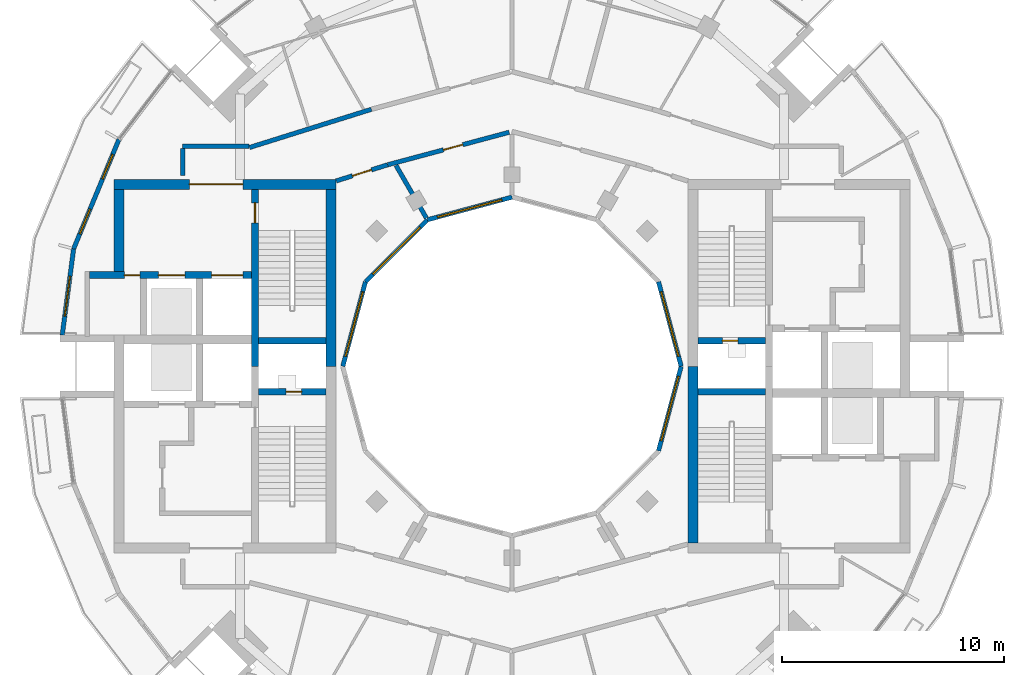
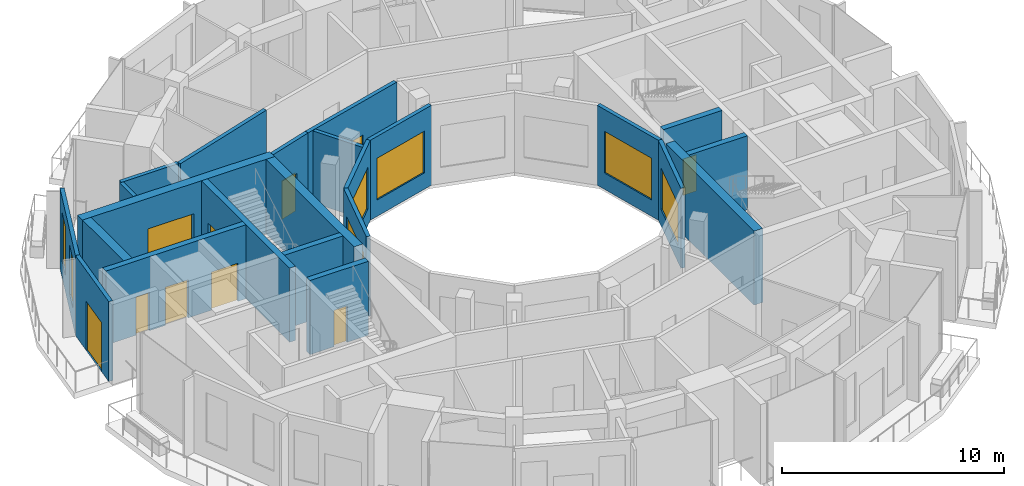
# One storey, part 9 of 15: 23 walls, 10 doors, 7 windows, 17 openings.
"""IFC4 building model written with IfcOpenShell, lengths in metres."""

from ifc_helpers import new_model, si_unit, direction, frame, frame_2d, origin, place, context, subcontext, project, spatial, rectangle, extrude, material, layer, layer_set, type_object, element, fill, save


model = new_model("IFC4")

# Units and contexts
model_context = context("Model", 3, precision=1e-05, world=origin(), true_north=direction((0.0, 1.0)))
body_context = subcontext(model_context, "Body", "Model", "MODEL_VIEW")
ifc_project = project(units=[si_unit("LENGTHUNIT", "METRE"), si_unit("AREAUNIT", "SQUARE_METRE"), si_unit("VOLUMEUNIT", "CUBIC_METRE"), si_unit("PLANEANGLEUNIT", "RADIAN"), si_unit("MASSUNIT", "GRAM", prefix="KILO")], contexts=[model_context])

# Site, building, storey
site_placement = place(None, origin())
site = spatial("IfcSite", under=ifc_project, at=site_placement, CompositionType="ELEMENT")
building_placement = place(site_placement, origin())
building = spatial("IfcBuilding", under=site, at=building_placement, Name="Torre Brocal", CompositionType="ELEMENT")
storey_placement = place(building_placement, frame((0.0, 0.0, 314.89990234375)))
storey = spatial("IfcBuildingStorey", under=building, at=storey_placement, Name="L72", CompositionType="ELEMENT", Elevation=314.89990234375)

# Wall, opening, door
ifc_material_1 = material(Name="Concrete C50", Category="concrete")
ifc_layer_1 = layer(ifc_material_1, 0.300048828125)
ifc_layer_set_1 = layer_set([ifc_layer_1], Name="Concrete C50")
wall_type_1 = type_object("IfcWallType", Name="CORE WALL 300 C50", PredefinedType="SHEAR", material=ifc_layer_set_1)
wall_1_placement = place(storey_placement, frame((88.35009765625, 76.14990234375, 0.0), z_axis=(0.0, 0.0, 1.0), x_axis=(1.0, 0.0, 0.0)))
wall_1 = element("IfcWall", 1, at=wall_1_placement, inside=storey, type_object=wall_type_1, Name="Wall CW300-50", PredefinedType="SHEAR", context=body_context, shape_type="SweptSolid", body=[
    extrude(rectangle(XDim=3.0498046875, YDim=0.300048828125, at=frame_2d((1.52490234375, 0.0))), origin(), (0.0, 0.0, 1.0), 4.080078125),
])
opening_1_placement = place(wall_1_placement, frame((1.10009765625, 0.0, 0.0)))
opening_1 = element("IfcOpeningElement", 2, at=opening_1_placement, cuts=wall_1, Name="Opening E-D01", PredefinedType="OPENING", context=body_context, shape_type="SweptSolid", body=[
    extrude(rectangle(XDim=0.699951171875, YDim=2.0, at=frame_2d((0.35009765625, 1.0))), frame((0.0, 0.159912109375, 0.0), z_axis=(0.0, -1.0, 0.0), x_axis=(1.0, 0.0, 0.0)), (0.0, 0.0, 1.0), 0.320068359375),
])
ifc_material_2 = material(Name="Steel A653", Category="steel")
door_type_1 = type_object("IfcDoorType", Name="RISER DOOR FD120 700X2000", OperationType="SINGLE_SWING_LEFT", PredefinedType="DOOR", material=ifc_material_2)
door_1_placement = place(opening_1_placement, frame((0.699951171875, 0.0, 0.0), z_axis=(0.0, 0.0, 1.0), x_axis=(-1.0, 0.0, 0.0)))
door_1 = element("IfcDoor", 3, at=door_1_placement, inside=storey, type_object=door_type_1, Name="Door E-D01", OperationType="SINGLE_SWING_RIGHT", OverallHeight=2.0, OverallWidth=0.699951171875, PredefinedType="DOOR", context=body_context, shape_type="SweptSolid", body=[
    extrude(rectangle(XDim=0.699951171875, YDim=2.0, at=frame_2d((0.35009765625, 1.0))), frame((0.0, 0.02490234375, 0.0), z_axis=(0.0, -1.0, 0.0), x_axis=(1.0, 0.0, 0.0)), (0.0, 0.0, 1.0), 0.050048828125),
])
fill(opening_1, door_1)

# Wall
wall_2_placement = place(storey_placement, frame((88.35009765625, 73.85009765625, 0.0), z_axis=(0.0, 0.0, 1.0), x_axis=(1.0, 0.0, 0.0)))
element("IfcWall", 4, at=wall_2_placement, inside=storey, type_object=wall_type_1, Name="Wall CW300-50", PredefinedType="SHEAR", context=body_context, shape_type="SweptSolid", body=[
    extrude(rectangle(XDim=3.0498046875, YDim=0.300048828125, at=frame_2d((1.52490234375, 0.0))), origin(), (0.0, 0.0, 1.0), 4.080078125),
])

# Wall, opening, door
wall_3_placement = place(storey_placement, frame((68.449951171875, 82.949951171875, 0.0), z_axis=(0.0, 0.0, 1.0), x_axis=(0.0, -1.0, 0.0)))
wall_3 = element("IfcWall", 5, at=wall_3_placement, inside=storey, type_object=wall_type_1, Name="Wall CW300-50", PredefinedType="SHEAR", context=body_context, shape_type="SweptSolid", body=[
    extrude(rectangle(XDim=7.949951171875, YDim=0.300048828125, at=frame_2d((3.97509765625, 0.0))), origin(), (0.0, 0.0, 1.0), 4.080078125),
])
opening_2_placement = place(wall_3_placement, frame((0.60009765625, 0.0, 0.0)))
opening_2 = element("IfcOpeningElement", 6, at=opening_2_placement, cuts=wall_3, Name="Opening W-D03", PredefinedType="OPENING", context=body_context, shape_type="SweptSolid", body=[
    extrude(rectangle(XDim=0.89990234375, YDim=2.10009765625, at=frame_2d((0.449951171875, 1.050048828125))), frame((0.0, 0.159912109375, 0.0), z_axis=(0.0, -1.0, 0.0), x_axis=(1.0, 0.0, 0.0)), (0.0, 0.0, 1.0), 0.320068359375),
])
ifc_material_3 = material(Name="Steel A653", Category="steel")
door_type_2 = type_object("IfcDoorType", Name="STAIR DOOR FD120 900X2100", OperationType="SINGLE_SWING_RIGHT", PredefinedType="DOOR", material=ifc_material_3)
door_2_placement = place(opening_2_placement, origin())
door_2 = element("IfcDoor", 7, at=door_2_placement, inside=storey, type_object=door_type_2, Name="Door W-D03", OperationType="SINGLE_SWING_LEFT", OverallHeight=2.10009765625, OverallWidth=0.89990234375, PredefinedType="DOOR", context=body_context, shape_type="SweptSolid", body=[
    extrude(rectangle(XDim=0.89990234375, YDim=2.10009765625, at=frame_2d((0.449951171875, 1.050048828125))), frame((0.0, 0.02490234375, 0.0), z_axis=(0.0, -1.0, 0.0), x_axis=(1.0, 0.0, 0.0)), (0.0, 0.0, 1.0), 0.050048828125),
])
fill(opening_2, door_2)

wall_4_placement = place(storey_placement, frame((71.64990234375, 73.85009765625, 0.0), z_axis=(0.0, 0.0, 1.0), x_axis=(-1.0, 0.0, 0.0)))
wall_4 = element("IfcWall", 8, at=wall_4_placement, inside=storey, type_object=wall_type_1, Name="Wall CW300-50", PredefinedType="SHEAR", context=body_context, shape_type="SweptSolid", body=[
    extrude(rectangle(XDim=3.0498046875, YDim=0.300048828125, at=frame_2d((1.52490234375, 0.0))), origin(), (0.0, 0.0, 1.0), 4.080078125),
])
opening_3_placement = place(wall_4_placement, frame((1.10009765625, 0.0, 0.0)))
opening_3 = element("IfcOpeningElement", 9, at=opening_3_placement, cuts=wall_4, Name="Opening W-D01", PredefinedType="OPENING", context=body_context, shape_type="SweptSolid", body=[
    extrude(rectangle(XDim=0.699951171875, YDim=2.0, at=frame_2d((0.35009765625, 1.0))), frame((0.0, 0.159912109375, 0.0), z_axis=(0.0, -1.0, 0.0), x_axis=(1.0, 0.0, 0.0)), (0.0, 0.0, 1.0), 0.320068359375),
])
door_3_placement = place(opening_3_placement, frame((0.699951171875, 0.0, 0.0), z_axis=(0.0, 0.0, 1.0), x_axis=(-1.0, 0.0, 0.0)))
door_3 = element("IfcDoor", 10, at=door_3_placement, inside=storey, type_object=door_type_1, Name="Door W-D01", OperationType="SINGLE_SWING_RIGHT", OverallHeight=2.0, OverallWidth=0.699951171875, PredefinedType="DOOR", context=body_context, shape_type="SweptSolid", body=[
    extrude(rectangle(XDim=0.699951171875, YDim=2.0, at=frame_2d((0.35009765625, 1.0))), frame((0.0, 0.02490234375, 0.0), z_axis=(0.0, -1.0, 0.0), x_axis=(1.0, 0.0, 0.0)), (0.0, 0.0, 1.0), 0.050048828125),
])
fill(opening_3, door_3)

# Wall
wall_5_placement = place(storey_placement, frame((71.64990234375, 76.14990234375, 0.0), z_axis=(0.0, 0.0, 1.0), x_axis=(-1.0, 0.0, 0.0)))
element("IfcWall", 11, at=wall_5_placement, inside=storey, type_object=wall_type_1, Name="Wall CW300-50", PredefinedType="SHEAR", context=body_context, shape_type="SweptSolid", body=[
    extrude(rectangle(XDim=3.0498046875, YDim=0.300048828125, at=frame_2d((1.52490234375, 0.0))), origin(), (0.0, 0.0, 1.0), 4.080078125),
])

# Wall, openings, doors
wall_6_placement = place(storey_placement, frame((68.300048828125, 79.10009765625, 0.0), z_axis=(0.0, 0.0, 1.0), x_axis=(-1.0, 0.0, 0.0)))
wall_6 = element("IfcWall", 12, at=wall_6_placement, inside=storey, type_object=wall_type_1, Name="Wall CW300-50", PredefinedType="SHEAR", context=body_context, shape_type="SweptSolid", body=[
    extrude(rectangle(XDim=7.300048828125, YDim=0.300048828125, at=frame_2d((3.64990234375, 0.0))), origin(), (0.0, 0.0, 1.0), 4.080078125),
])
opening_4_placement = place(wall_6_placement, frame((0.39990234375, 0.0, 0.0)))
opening_4 = element("IfcOpeningElement", 13, at=opening_4_placement, cuts=wall_6, Name="Opening LD14", PredefinedType="OPENING", context=body_context, shape_type="SweptSolid", body=[
    extrude(rectangle(XDim=1.39990234375, YDim=2.10009765625, at=frame_2d((0.699951171875, 1.050048828125))), frame((0.0, 0.159912109375, 0.0), z_axis=(0.0, -1.0, 0.0), x_axis=(1.0, 0.0, 0.0)), (0.0, 0.0, 1.0), 0.320068359375),
])
opening_5_placement = place(wall_6_placement, frame((3.0, 0.0, 0.0)))
opening_5 = element("IfcOpeningElement", 14, at=opening_5_placement, cuts=wall_6, Name="Opening LD12", PredefinedType="OPENING", context=body_context, shape_type="SweptSolid", body=[
    extrude(rectangle(XDim=1.199951171875, YDim=2.10009765625, at=frame_2d((0.60009765625, 1.050048828125))), frame((0.0, 0.159912109375, 0.0), z_axis=(0.0, -1.0, 0.0), x_axis=(1.0, 0.0, 0.0)), (0.0, 0.0, 1.0), 0.320068359375),
])
opening_6_placement = place(wall_6_placement, frame((5.02490234375, 0.0, 0.0)))
opening_6 = element("IfcOpeningElement", 15, at=opening_6_placement, cuts=wall_6, Name="Opening W-D17", PredefinedType="OPENING", context=body_context, shape_type="SweptSolid", body=[
    extrude(rectangle(XDim=0.699951171875, YDim=2.10009765625, at=frame_2d((0.35009765625, 1.050048828125))), frame((0.0, 0.159912109375, 0.0), z_axis=(0.0, -1.0, 0.0), x_axis=(1.0, 0.0, 0.0)), (0.0, 0.0, 1.0), 0.320068359375),
])
ifc_material_4 = material(Name="Stainless steel AISI 316", Category="steel")
door_type_3 = type_object("IfcDoorType", Name="LIFT LANDING DOOR 1200X2100", OperationType="DOUBLE_DOOR_SLIDING", PredefinedType="DOOR", material=ifc_material_4)
door_4_placement = place(opening_5_placement, origin())
door_4 = element("IfcDoor", 16, at=door_4_placement, inside=storey, type_object=door_type_3, Name="Door LD12", OperationType="DOUBLE_DOOR_SLIDING", OverallHeight=2.10009765625, OverallWidth=1.199951171875, PredefinedType="DOOR", context=body_context, shape_type="SweptSolid", body=[
    extrude(rectangle(XDim=1.199951171875, YDim=2.10009765625, at=frame_2d((0.60009765625, 1.050048828125))), frame((0.0, 0.02490234375, 0.0), z_axis=(0.0, -1.0, 0.0), x_axis=(1.0, 0.0, 0.0)), (0.0, 0.0, 1.0), 0.050048828125),
])
fill(opening_5, door_4)
ifc_material_5 = material(Name="Stainless steel AISI 316", Category="steel")
door_type_4 = type_object("IfcDoorType", Name="LIFT LANDING DOOR 1400X2100", OperationType="DOUBLE_DOOR_SLIDING", PredefinedType="DOOR", material=ifc_material_5)
door_5_placement = place(opening_4_placement, origin())
door_5 = element("IfcDoor", 17, at=door_5_placement, inside=storey, type_object=door_type_4, Name="Door LD14", OperationType="DOUBLE_DOOR_SLIDING", OverallHeight=2.10009765625, OverallWidth=1.39990234375, PredefinedType="DOOR", context=body_context, shape_type="SweptSolid", body=[
    extrude(rectangle(XDim=1.39990234375, YDim=2.10009765625, at=frame_2d((0.699951171875, 1.050048828125))), frame((0.0, 0.02490234375, 0.0), z_axis=(0.0, -1.0, 0.0), x_axis=(1.0, 0.0, 0.0)), (0.0, 0.0, 1.0), 0.050048828125),
])
fill(opening_4, door_5)
ifc_material_6 = material(Name="Steel A653", Category="steel")
door_type_5 = type_object("IfcDoorType", Name="ROOM DOOR FD30S 700X2100", OperationType="SINGLE_SWING_LEFT", PredefinedType="DOOR", material=ifc_material_6)
door_6_placement = place(opening_6_placement, origin())
door_6 = element("IfcDoor", 18, at=door_6_placement, inside=storey, type_object=door_type_5, Name="Door W-D17", OperationType="SINGLE_SWING_LEFT", OverallHeight=2.10009765625, OverallWidth=0.699951171875, PredefinedType="DOOR", context=body_context, shape_type="SweptSolid", body=[
    extrude(rectangle(XDim=0.699951171875, YDim=2.10009765625, at=frame_2d((0.35009765625, 1.050048828125))), frame((0.0, 0.02490234375, 0.0), z_axis=(0.0, -1.0, 0.0), x_axis=(1.0, 0.0, 0.0)), (0.0, 0.0, 1.0), 0.050048828125),
])
fill(opening_6, door_6)

# Wall
ifc_material_7 = material(Name="Concrete C50", Category="concrete")
ifc_layer_2 = layer(ifc_material_7, 0.449951171875)
ifc_layer_set_2 = layer_set([ifc_layer_2], Name="Concrete C50")
wall_type_2 = type_object("IfcWallType", Name="CORE WALL 450 C50", PredefinedType="SHEAR", material=ifc_layer_set_2)
wall_7_placement = place(storey_placement, frame((88.125, 67.050048828125, 0.0), z_axis=(0.0, 0.0, 1.0), x_axis=(0.0, 1.0, 0.0)))
element("IfcWall", 19, at=wall_7_placement, inside=storey, type_object=wall_type_2, Name="Wall CW450-50", PredefinedType="SHEAR", context=body_context, shape_type="SweptSolid", body=[
    extrude(rectangle(XDim=7.949951171875, YDim=0.449951171875, at=frame_2d((3.97509765625, 0.0))), origin(), (0.0, 0.0, 1.0), 4.080078125),
])

# Wall, opening, door
wall_8_placement = place(storey_placement, frame((72.10009765625, 83.175048828125, 0.0), z_axis=(0.0, 0.0, 1.0), x_axis=(-1.0, 0.0, 0.0)))
wall_8 = element("IfcWall", 20, at=wall_8_placement, inside=storey, type_object=wall_type_2, Name="Wall CW450-50", PredefinedType="SHEAR", context=body_context, shape_type="SweptSolid", body=[
    extrude(rectangle(XDim=10.0, YDim=0.449951171875, at=frame_2d((5.0, 0.0))), origin(), (0.0, 0.0, 1.0), 4.080078125),
])
opening_7_placement = place(wall_8_placement, frame((4.199951171875, 0.0, 0.0)))
opening_7 = element("IfcOpeningElement", 21, at=opening_7_placement, cuts=wall_8, Name="Opening W-D24", PredefinedType="OPENING", context=body_context, shape_type="SweptSolid", body=[
    extrude(rectangle(XDim=2.39990234375, YDim=2.39990234375, at=frame_2d((1.199951171875, 1.199951171875))), frame((0.0, 0.23486328125, 0.0), z_axis=(0.0, -1.0, 0.0), x_axis=(1.0, 0.0, 0.0)), (0.0, 0.0, 1.0), 0.469970703125),
])
ifc_material_8 = material(Name="Steel A653", Category="steel")
door_type_6 = type_object("IfcDoorType", Name="DOUBLE FIRE DOOR FD90 2400X2400", OperationType="DOUBLE_DOOR_SINGLE_SWING", PredefinedType="DOOR", material=ifc_material_8)
door_7_placement = place(opening_7_placement, origin())
door_7 = element("IfcDoor", 22, at=door_7_placement, inside=storey, type_object=door_type_6, Name="Door W-D24", OperationType="DOUBLE_DOOR_SINGLE_SWING", OverallHeight=2.39990234375, OverallWidth=2.39990234375, PredefinedType="DOOR", context=body_context, shape_type="SweptSolid", body=[
    extrude(rectangle(XDim=2.39990234375, YDim=2.39990234375, at=frame_2d((1.199951171875, 1.199951171875))), frame((0.0, 0.02490234375, 0.0), z_axis=(0.0, -1.0, 0.0), x_axis=(1.0, 0.0, 0.0)), (0.0, 0.0, 1.0), 0.050048828125),
])
fill(opening_7, door_7)

# Walls
wall_9_placement = place(storey_placement, frame((71.875, 82.949951171875, 0.0), z_axis=(0.0, 0.0, 1.0), x_axis=(0.0, -1.0, 0.0)))
element("IfcWall", 23, at=wall_9_placement, inside=storey, type_object=wall_type_2, Name="Wall CW450-50", PredefinedType="SHEAR", context=body_context, shape_type="SweptSolid", body=[
    extrude(rectangle(XDim=7.949951171875, YDim=0.449951171875, at=frame_2d((3.97509765625, 0.0))), origin(), (0.0, 0.0, 1.0), 4.080078125),
])
wall_10_placement = place(storey_placement, frame((62.324951171875, 82.949951171875, 0.0), z_axis=(0.0, 0.0, 1.0), x_axis=(0.0, -1.0, 0.0)))
element("IfcWall", 24, at=wall_10_placement, inside=storey, type_object=wall_type_2, Name="Wall CW450-50", PredefinedType="SHEAR", context=body_context, shape_type="SweptSolid", body=[
    extrude(rectangle(XDim=3.699951171875, YDim=0.449951171875, at=frame_2d((1.85009765625, 0.0))), origin(), (0.0, 0.0, 1.0), 4.080078125),
])

# Wall, openings, windows
ifc_material_9 = material(Name="Concrete C40", Category="concrete")
ifc_layer_3 = layer(ifc_material_9, 0.199951171875)
ifc_layer_set_3 = layer_set([ifc_layer_3], Name="Concrete C40")
wall_type_3 = type_object("IfcWallType", Name="EXTERNAL WALL 200", PredefinedType="NOTDEFINED", material=ifc_layer_set_3)
wall_11_placement = place(storey_placement, frame((62.333740234375, 85.199462890625, 0.0), z_axis=(0.0, 0.0, 1.0), x_axis=(-0.382690574388, -0.923876574156, 0.0)))
wall_11 = element("IfcWall", 25, at=wall_11_placement, inside=storey, type_object=wall_type_3, Name="EXTERNAL WALL", PredefinedType="NOTDEFINED", context=body_context, shape_type="SweptSolid", body=[
    extrude(rectangle(XDim=5.324951171875, YDim=0.199951171875, at=frame_2d((2.66259765625, 0.0))), origin(), (0.0, 0.0, 1.0), 4.400146484375),
])
opening_8_placement = place(wall_11_placement, frame((0.731201171875, 0.0, 0.89990234375)))
opening_8 = element("IfcOpeningElement", 26, at=opening_8_placement, cuts=wall_11, Name="Opening W9", PredefinedType="OPENING", context=body_context, shape_type="SweptSolid", body=[
    extrude(rectangle(XDim=1.199951171875, YDim=2.699951171875, at=frame_2d((0.60009765625, 1.35009765625))), frame((0.0, 0.10986328125, 0.0), z_axis=(0.0, -1.0, 0.0), x_axis=(1.0, 0.0, 0.0)), (0.0, 0.0, 1.0), 0.219970703125),
])
opening_9_placement = place(wall_11_placement, frame((3.39404296875, 0.0, 0.89990234375)))
opening_9 = element("IfcOpeningElement", 27, at=opening_9_placement, cuts=wall_11, Name="Opening W9", PredefinedType="OPENING", context=body_context, shape_type="SweptSolid", body=[
    extrude(rectangle(XDim=1.199951171875, YDim=2.699951171875, at=frame_2d((0.60009765625, 1.35009765625))), frame((0.0, 0.10986328125, 0.0), z_axis=(0.0, -1.0, 0.0), x_axis=(1.0, 0.0, 0.0)), (0.0, 0.0, 1.0), 0.219970703125),
])
ifc_material_10 = material(Name="Aluminium and glass", Category="aluminium")
window_type_1 = type_object("IfcWindowType", Name="PENTHOUSE TERRACE WINDOW 1200X2700", PartitioningType="SINGLE_PANEL", PredefinedType="WINDOW", material=ifc_material_10)
window_1_placement = place(opening_8_placement, origin())
window_1 = element("IfcWindow", 28, at=window_1_placement, inside=storey, type_object=window_type_1, Name="PENTHOUSE TERRACE WINDOW 1200X2700", OverallHeight=2.699951171875, OverallWidth=1.199951171875, PartitioningType="SINGLE_PANEL", PredefinedType="WINDOW", context=body_context, shape_type="SweptSolid", body=[
    extrude(rectangle(XDim=1.199951171875, YDim=2.699951171875, at=frame_2d((0.60009765625, 1.35009765625))), frame((0.0, 0.030029296875, 0.0), z_axis=(0.0, -1.0, 0.0), x_axis=(1.0, 0.0, 0.0)), (0.0, 0.0, 1.0), 0.06005859375),
])
fill(opening_8, window_1)
window_2_placement = place(opening_9_placement, origin())
window_2 = element("IfcWindow", 29, at=window_2_placement, inside=storey, type_object=window_type_1, Name="PENTHOUSE TERRACE WINDOW 1200X2700", OverallHeight=2.699951171875, OverallWidth=1.199951171875, PartitioningType="SINGLE_PANEL", PredefinedType="WINDOW", context=body_context, shape_type="SweptSolid", body=[
    extrude(rectangle(XDim=1.199951171875, YDim=2.699951171875, at=frame_2d((0.60009765625, 1.35009765625))), frame((0.0, 0.030029296875, 0.0), z_axis=(0.0, -1.0, 0.0), x_axis=(1.0, 0.0, 0.0)), (0.0, 0.0, 1.0), 0.06005859375),
])
fill(opening_9, window_2)

# Wall, opening, door
wall_12_placement = place(storey_placement, frame((60.2958984375, 80.27978515625, 0.0), z_axis=(0.0, 0.0, 1.0), x_axis=(-0.130512609533, -0.991446649474, 0.0)))
wall_12 = element("IfcWall", 30, at=wall_12_placement, inside=storey, type_object=wall_type_3, Name="EXTERNAL WALL", PredefinedType="NOTDEFINED", context=body_context, shape_type="SweptSolid", body=[
    extrude(rectangle(XDim=3.913330078125, YDim=0.199951171875, at=frame_2d((1.95654296875, 0.0))), origin(), (0.0, 0.0, 1.0), 4.400146484375),
])
opening_10_placement = place(wall_12_placement, frame((1.25, 0.0, 0.0)))
opening_10 = element("IfcOpeningElement", 31, at=opening_10_placement, cuts=wall_12, Name="Opening L72-E04", PredefinedType="OPENING", context=body_context, shape_type="SweptSolid", body=[
    extrude(rectangle(XDim=1.800048828125, YDim=2.699951171875, at=frame_2d((0.89990234375, 1.35009765625))), frame((0.0, 0.10986328125, 0.0), z_axis=(0.0, -1.0, 0.0), x_axis=(1.0, 0.0, 0.0)), (0.0, 0.0, 1.0), 0.219970703125),
])
ifc_material_11 = material(Name="Aluminium and glass", Category="aluminium")
door_type_7 = type_object("IfcDoorType", Name="PENTHOUSE TERRACE DOUBLE DOOR 1800X2700", OperationType="DOUBLE_DOOR_SINGLE_SWING", PredefinedType="DOOR", material=ifc_material_11)
door_8_placement = place(opening_10_placement, frame((1.800048828125, 0.0, 0.0), z_axis=(0.0, 0.0, 1.0), x_axis=(-1.0, 0.0, 0.0)))
door_8 = element("IfcDoor", 32, at=door_8_placement, inside=storey, type_object=door_type_7, Name="DOOR L72-E04", OperationType="DOUBLE_DOOR_SINGLE_SWING", OverallHeight=2.699951171875, OverallWidth=1.800048828125, PredefinedType="DOOR", context=body_context, shape_type="SweptSolid", body=[
    extrude(rectangle(XDim=1.800048828125, YDim=2.699951171875, at=frame_2d((0.89990234375, 1.35009765625))), frame((0.0, 0.02490234375, 0.0), z_axis=(0.0, -1.0, 0.0), x_axis=(1.0, 0.0, 0.0)), (0.0, 0.0, 1.0), 0.050048828125),
])
fill(opening_10, door_8)

# Walls
ifc_material_12 = material(Name="Gypsum board", Category="Gypsum")
ifc_layer_4 = layer(ifc_material_12, 0.199951171875)
ifc_layer_set_4 = layer_set([ifc_layer_4], Name="Gypsum board")
wall_type_4 = type_object("IfcWallType", Name="PARTITION 200 EI60", PredefinedType="PARTITIONING", material=ifc_layer_set_4)
wall_13_placement = place(storey_placement, frame((65.199951171875, 83.576904296875, 0.0), z_axis=(0.0, 0.0, 1.0), x_axis=(0.0, 1.0, 0.0)))
element("IfcWall", 33, at=wall_13_placement, inside=storey, type_object=wall_type_4, Name="GUESTROOM CORRIDOR WALL", PredefinedType="PARTITIONING", context=body_context, shape_type="SweptSolid", body=[
    extrude(rectangle(XDim=1.22314453125, YDim=0.199951171875, at=frame_2d((0.611572265625, 0.0))), origin(), (0.0, 0.0, 1.0), 3.9501953125),
])
wall_14_placement = place(storey_placement, frame((65.199951171875, 84.89990234375, 0.0), z_axis=(0.0, 0.0, 1.0), x_axis=(1.0, 0.0, 0.0)))
element("IfcWall", 34, at=wall_14_placement, inside=storey, type_object=wall_type_4, Name="GUESTROOM CORRIDOR WALL", PredefinedType="PARTITIONING", context=body_context, shape_type="SweptSolid", body=[
    extrude(rectangle(XDim=2.969970703125, YDim=0.199951171875, at=frame_2d((1.48486328125, 0.0))), origin(), (0.0, 0.0, 1.0), 3.9501953125),
])
wall_15_placement = place(storey_placement, frame((68.20068359375, 84.833740234375, 0.0), z_axis=(0.0, 0.0, 1.0), x_axis=(0.954232917497, 0.29906443982, 0.0)))
element("IfcWall", 35, at=wall_15_placement, inside=storey, type_object=wall_type_4, Name="GUESTROOM CORRIDOR WALL", PredefinedType="PARTITIONING", context=body_context, shape_type="SweptSolid", body=[
    extrude(rectangle(XDim=5.73974609375, YDim=0.199951171875, at=frame_2d((2.869873046875, 0.0))), origin(), (0.0, 0.0, 1.0), 3.9501953125),
])

# Wall, opening, door
wall_16_placement = place(storey_placement, frame((72.10009765625, 83.33203125, 0.0), z_axis=(0.0, 0.0, 1.0), x_axis=(0.954233106619, 0.299063836383, 0.0)))
wall_16 = element("IfcWall", 36, at=wall_16_placement, inside=storey, type_object=wall_type_4, Name="CORRIDOR WALL", PredefinedType="PARTITIONING", context=body_context, shape_type="SweptSolid", body=[
    extrude(rectangle(XDim=2.4140625, YDim=0.199951171875, at=frame_2d((1.20703125, 0.0))), origin(), (0.0, 0.0, 1.0), 3.9501953125),
])
opening_11_placement = place(wall_16_placement, frame((0.761962890625, 0.0, 0.0)))
opening_11 = element("IfcOpeningElement", 37, at=opening_11_placement, cuts=wall_16, Name="Opening N05-D17", PredefinedType="OPENING", context=body_context, shape_type="SweptSolid", body=[
    extrude(rectangle(XDim=0.89990234375, YDim=2.10009765625, at=frame_2d((0.449951171875, 1.050048828125))), frame((0.0, 0.10986328125, 0.0), z_axis=(0.0, -1.0, 0.0), x_axis=(1.0, 0.0, 0.0)), (0.0, 0.0, 1.0), 0.219970703125),
])
ifc_material_13 = material(Name="Timber", Category="wood")
door_type_8 = type_object("IfcDoorType", Name="ROOM DOOR 900X2100", OperationType="SINGLE_SWING_LEFT", PredefinedType="DOOR", material=ifc_material_13)
door_9_placement = place(opening_11_placement, frame((0.89990234375, 0.0, 0.0), z_axis=(0.0, 0.0, 1.0), x_axis=(-1.0, 0.0, 0.0)))
door_9 = element("IfcDoor", 38, at=door_9_placement, inside=storey, type_object=door_type_8, Name="N05-D17", OperationType="SINGLE_SWING_RIGHT", OverallHeight=2.10009765625, OverallWidth=0.89990234375, PredefinedType="DOOR", context=body_context, shape_type="SweptSolid", body=[
    extrude(rectangle(XDim=0.89990234375, YDim=2.10009765625, at=frame_2d((0.449951171875, 1.050048828125))), frame((0.0, 0.02490234375, 0.0), z_axis=(0.0, -1.0, 0.0), x_axis=(1.0, 0.0, 0.0)), (0.0, 0.0, 1.0), 0.050048828125),
])
fill(opening_11, door_9)

wall_17_placement = place(storey_placement, frame((74.4130859375, 84.056884765625, 0.0), z_axis=(0.0, 0.0, 1.0), x_axis=(0.965972135939, 0.258646153246, 0.0)))
wall_17 = element("IfcWall", 39, at=wall_17_placement, inside=storey, type_object=wall_type_4, Name="CORRIDOR WALL", PredefinedType="PARTITIONING", context=body_context, shape_type="SweptSolid", body=[
    extrude(rectangle(XDim=5.654052734375, YDim=0.199951171875, at=frame_2d((2.8271484375, 0.0))), origin(), (0.0, 0.0, 1.0), 3.9501953125),
])
opening_12_placement = place(wall_17_placement, frame((2.5927734375, 0.0, 0.0)))
opening_12 = element("IfcOpeningElement", 40, at=opening_12_placement, cuts=wall_17, Name="Opening N05-D16", PredefinedType="OPENING", context=body_context, shape_type="SweptSolid", body=[
    extrude(rectangle(XDim=0.89990234375, YDim=2.10009765625, at=frame_2d((0.449951171875, 1.050048828125))), frame((0.0, 0.10986328125, 0.0), z_axis=(0.0, -1.0, 0.0), x_axis=(1.0, 0.0, 0.0)), (0.0, 0.0, 1.0), 0.219970703125),
])
door_10_placement = place(opening_12_placement, frame((0.89990234375, 0.0, 0.0), z_axis=(0.0, 0.0, 1.0), x_axis=(-1.0, 0.0, 0.0)))
door_10 = element("IfcDoor", 41, at=door_10_placement, inside=storey, type_object=door_type_8, Name="N05-D16", OperationType="SINGLE_SWING_RIGHT", OverallHeight=2.10009765625, OverallWidth=0.89990234375, PredefinedType="DOOR", context=body_context, shape_type="SweptSolid", body=[
    extrude(rectangle(XDim=0.89990234375, YDim=2.10009765625, at=frame_2d((0.449951171875, 1.050048828125))), frame((0.0, 0.02490234375, 0.0), z_axis=(0.0, -1.0, 0.0), x_axis=(1.0, 0.0, 0.0)), (0.0, 0.0, 1.0), 0.050048828125),
])
fill(opening_12, door_10)

# Wall
wall_18_placement = place(storey_placement, frame((74.787353515625, 84.027099609375, 0.0), z_axis=(0.0, 0.0, 1.0), x_axis=(0.500079107518, -0.86597972622, 0.0)))
element("IfcWall", 42, at=wall_18_placement, inside=storey, type_object=wall_type_4, Name="PARTY PARTITION", PredefinedType="PARTITIONING", context=body_context, shape_type="SweptSolid", body=[
    extrude(rectangle(XDim=2.7255859375, YDim=0.199951171875, at=frame_2d((1.36279296875, 0.0))), origin(), (0.0, 0.0, 1.0), 3.9501953125),
])

# Wall, opening, window
ifc_material_14 = material(Name="Concrete C40", Category="concrete")
ifc_layer_5 = layer(ifc_material_14, 0.199951171875)
ifc_layer_set_5 = layer_set([ifc_layer_5], Name="Concrete C40")
wall_type_5 = type_object("IfcWallType", Name="WELL FACADE WALL 200", PredefinedType="NOTDEFINED", material=ifc_layer_set_5)
wall_19_placement = place(storey_placement, frame((87.603515625, 75.0, 0.0), z_axis=(0.0, 0.0, 1.0), x_axis=(-0.258789828301, 0.965933654434, 0.0)))
wall_19 = element("IfcWall", 43, at=wall_19_placement, inside=storey, type_object=wall_type_5, Name="WELL FACADE WALL", PredefinedType="NOTDEFINED", context=body_context, shape_type="SweptSolid", body=[
    extrude(rectangle(XDim=3.935791015625, YDim=0.199951171875, at=frame_2d((1.9677734375, 0.0))), origin(), (0.0, 0.0, 1.0), 4.400146484375),
])
opening_13_placement = place(wall_19_placement, frame((0.468017578125, 0.0, 0.89990234375)))
opening_13 = element("IfcOpeningElement", 44, at=opening_13_placement, cuts=wall_19, Name="Opening W1", PredefinedType="OPENING", context=body_context, shape_type="SweptSolid", body=[
    extrude(rectangle(XDim=3.0, YDim=2.300048828125, at=frame_2d((1.5, 1.14990234375))), frame((0.0, 0.10986328125, 0.0), z_axis=(0.0, -1.0, 0.0), x_axis=(1.0, 0.0, 0.0)), (0.0, 0.0, 1.0), 0.219970703125),
])
ifc_material_15 = material(Name="Aluminium and glass", Category="aluminium")
window_type_2 = type_object("IfcWindowType", Name="WELL WINDOW 3000X2300", PartitioningType="SINGLE_PANEL", PredefinedType="WINDOW", material=ifc_material_15)
window_3_placement = place(opening_13_placement, origin())
window_3 = element("IfcWindow", 45, at=window_3_placement, inside=storey, type_object=window_type_2, Name="WELL WINDOW 3000X2300", OverallHeight=2.300048828125, OverallWidth=3.0, PartitioningType="SINGLE_PANEL", PredefinedType="WINDOW", context=body_context, shape_type="SweptSolid", body=[
    extrude(rectangle(XDim=3.0, YDim=2.300048828125, at=frame_2d((1.5, 1.14990234375))), frame((0.0, 0.030029296875, 0.0), z_axis=(0.0, -1.0, 0.0), x_axis=(1.0, 0.0, 0.0)), (0.0, 0.0, 1.0), 0.06005859375),
])
fill(opening_13, window_3)

wall_20_placement = place(storey_placement, frame((80.0, 82.603515625, 0.0), z_axis=(0.0, 0.0, 1.0), x_axis=(-0.965933654434, -0.258789828301, 0.0)))
wall_20 = element("IfcWall", 46, at=wall_20_placement, inside=storey, type_object=wall_type_5, Name="WELL FACADE WALL", PredefinedType="NOTDEFINED", context=body_context, shape_type="SweptSolid", body=[
    extrude(rectangle(XDim=3.935791015625, YDim=0.199951171875, at=frame_2d((1.9677734375, 0.0))), origin(), (0.0, 0.0, 1.0), 4.400146484375),
])
opening_14_placement = place(wall_20_placement, frame((0.468017578125, 0.0, 0.89990234375)))
opening_14 = element("IfcOpeningElement", 47, at=opening_14_placement, cuts=wall_20, Name="Opening W1", PredefinedType="OPENING", context=body_context, shape_type="SweptSolid", body=[
    extrude(rectangle(XDim=3.0, YDim=2.300048828125, at=frame_2d((1.5, 1.14990234375))), frame((0.0, 0.10986328125, 0.0), z_axis=(0.0, -1.0, 0.0), x_axis=(1.0, 0.0, 0.0)), (0.0, 0.0, 1.0), 0.219970703125),
])
window_4_placement = place(opening_14_placement, origin())
window_4 = element("IfcWindow", 48, at=window_4_placement, inside=storey, type_object=window_type_2, Name="WELL WINDOW 3000X2300", OverallHeight=2.300048828125, OverallWidth=3.0, PartitioningType="SINGLE_PANEL", PredefinedType="WINDOW", context=body_context, shape_type="SweptSolid", body=[
    extrude(rectangle(XDim=3.0, YDim=2.300048828125, at=frame_2d((1.5, 1.14990234375))), frame((0.0, 0.030029296875, 0.0), z_axis=(0.0, -1.0, 0.0), x_axis=(1.0, 0.0, 0.0)), (0.0, 0.0, 1.0), 0.06005859375),
])
fill(opening_14, window_4)

wall_21_placement = place(storey_placement, frame((76.1982421875, 81.5849609375, 0.0), z_axis=(0.0, 0.0, 1.0), x_axis=(-0.707106781187, -0.707106781187, 0.0)))
wall_21 = element("IfcWall", 49, at=wall_21_placement, inside=storey, type_object=wall_type_5, Name="WELL FACADE WALL", PredefinedType="NOTDEFINED", context=body_context, shape_type="SweptSolid", body=[
    extrude(rectangle(XDim=3.93603515625, YDim=0.199951171875, at=frame_2d((1.968017578125, 0.0))), origin(), (0.0, 0.0, 1.0), 4.400146484375),
])
opening_15_placement = place(wall_21_placement, frame((0.468017578125, 0.0, 0.89990234375)))
opening_15 = element("IfcOpeningElement", 50, at=opening_15_placement, cuts=wall_21, Name="Opening W1", PredefinedType="OPENING", context=body_context, shape_type="SweptSolid", body=[
    extrude(rectangle(XDim=3.0, YDim=2.300048828125, at=frame_2d((1.5, 1.14990234375))), frame((0.0, 0.10986328125, 0.0), z_axis=(0.0, -1.0, 0.0), x_axis=(1.0, 0.0, 0.0)), (0.0, 0.0, 1.0), 0.219970703125),
])
window_5_placement = place(opening_15_placement, origin())
window_5 = element("IfcWindow", 51, at=window_5_placement, inside=storey, type_object=window_type_2, Name="WELL WINDOW 3000X2300", OverallHeight=2.300048828125, OverallWidth=3.0, PartitioningType="SINGLE_PANEL", PredefinedType="WINDOW", context=body_context, shape_type="SweptSolid", body=[
    extrude(rectangle(XDim=3.0, YDim=2.300048828125, at=frame_2d((1.5, 1.14990234375))), frame((0.0, 0.030029296875, 0.0), z_axis=(0.0, -1.0, 0.0), x_axis=(1.0, 0.0, 0.0)), (0.0, 0.0, 1.0), 0.06005859375),
])
fill(opening_15, window_5)

wall_22_placement = place(storey_placement, frame((73.4150390625, 78.8017578125, 0.0), z_axis=(0.0, 0.0, 1.0), x_axis=(-0.258789828301, -0.965933654434, 0.0)))
wall_22 = element("IfcWall", 52, at=wall_22_placement, inside=storey, type_object=wall_type_5, Name="WELL FACADE WALL", PredefinedType="NOTDEFINED", context=body_context, shape_type="SweptSolid", body=[
    extrude(rectangle(XDim=3.935791015625, YDim=0.199951171875, at=frame_2d((1.9677734375, 0.0))), origin(), (0.0, 0.0, 1.0), 4.400146484375),
])
opening_16_placement = place(wall_22_placement, frame((0.468017578125, 0.0, 0.89990234375)))
opening_16 = element("IfcOpeningElement", 53, at=opening_16_placement, cuts=wall_22, Name="Opening W1", PredefinedType="OPENING", context=body_context, shape_type="SweptSolid", body=[
    extrude(rectangle(XDim=3.0, YDim=2.300048828125, at=frame_2d((1.5, 1.14990234375))), frame((0.0, 0.10986328125, 0.0), z_axis=(0.0, -1.0, 0.0), x_axis=(1.0, 0.0, 0.0)), (0.0, 0.0, 1.0), 0.219970703125),
])
window_6_placement = place(opening_16_placement, origin())
window_6 = element("IfcWindow", 54, at=window_6_placement, inside=storey, type_object=window_type_2, Name="WELL WINDOW 3000X2300", OverallHeight=2.300048828125, OverallWidth=3.0, PartitioningType="SINGLE_PANEL", PredefinedType="WINDOW", context=body_context, shape_type="SweptSolid", body=[
    extrude(rectangle(XDim=3.0, YDim=2.300048828125, at=frame_2d((1.5, 1.14990234375))), frame((0.0, 0.030029296875, 0.0), z_axis=(0.0, -1.0, 0.0), x_axis=(1.0, 0.0, 0.0)), (0.0, 0.0, 1.0), 0.06005859375),
])
fill(opening_16, window_6)

wall_23_placement = place(storey_placement, frame((86.5849609375, 71.1982421875, 0.0), z_axis=(0.0, 0.0, 1.0), x_axis=(0.258789828301, 0.965933654434, 0.0)))
wall_23 = element("IfcWall", 55, at=wall_23_placement, inside=storey, type_object=wall_type_5, Name="WELL FACADE WALL", PredefinedType="NOTDEFINED", context=body_context, shape_type="SweptSolid", body=[
    extrude(rectangle(XDim=3.935791015625, YDim=0.199951171875, at=frame_2d((1.9677734375, 0.0))), origin(), (0.0, 0.0, 1.0), 4.400146484375),
])
opening_17_placement = place(wall_23_placement, frame((0.468017578125, 0.0, 0.89990234375)))
opening_17 = element("IfcOpeningElement", 56, at=opening_17_placement, cuts=wall_23, Name="Opening W1", PredefinedType="OPENING", context=body_context, shape_type="SweptSolid", body=[
    extrude(rectangle(XDim=3.0, YDim=2.300048828125, at=frame_2d((1.5, 1.14990234375))), frame((0.0, 0.10986328125, 0.0), z_axis=(0.0, -1.0, 0.0), x_axis=(1.0, 0.0, 0.0)), (0.0, 0.0, 1.0), 0.219970703125),
])
window_7_placement = place(opening_17_placement, origin())
window_7 = element("IfcWindow", 57, at=window_7_placement, inside=storey, type_object=window_type_2, Name="WELL WINDOW 3000X2300", OverallHeight=2.300048828125, OverallWidth=3.0, PartitioningType="SINGLE_PANEL", PredefinedType="WINDOW", context=body_context, shape_type="SweptSolid", body=[
    extrude(rectangle(XDim=3.0, YDim=2.300048828125, at=frame_2d((1.5, 1.14990234375))), frame((0.0, 0.030029296875, 0.0), z_axis=(0.0, -1.0, 0.0), x_axis=(1.0, 0.0, 0.0)), (0.0, 0.0, 1.0), 0.06005859375),
])
fill(opening_17, window_7)

save(model, "model.ifc")
